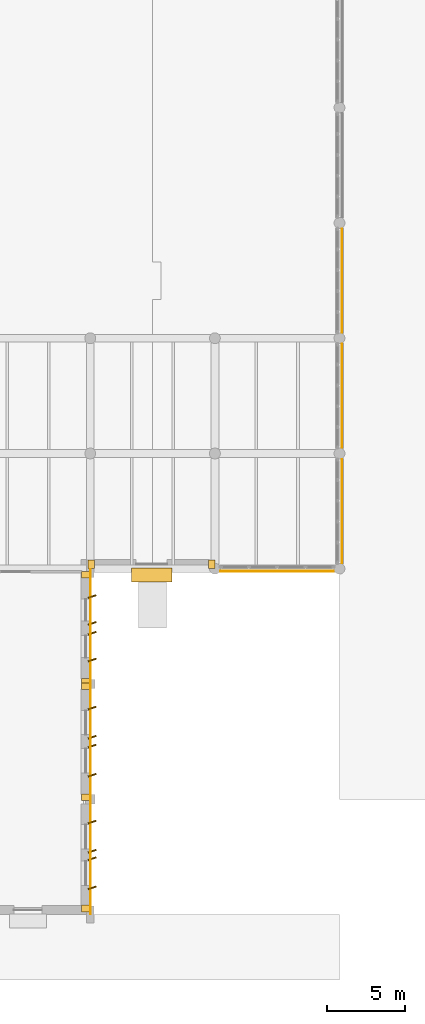
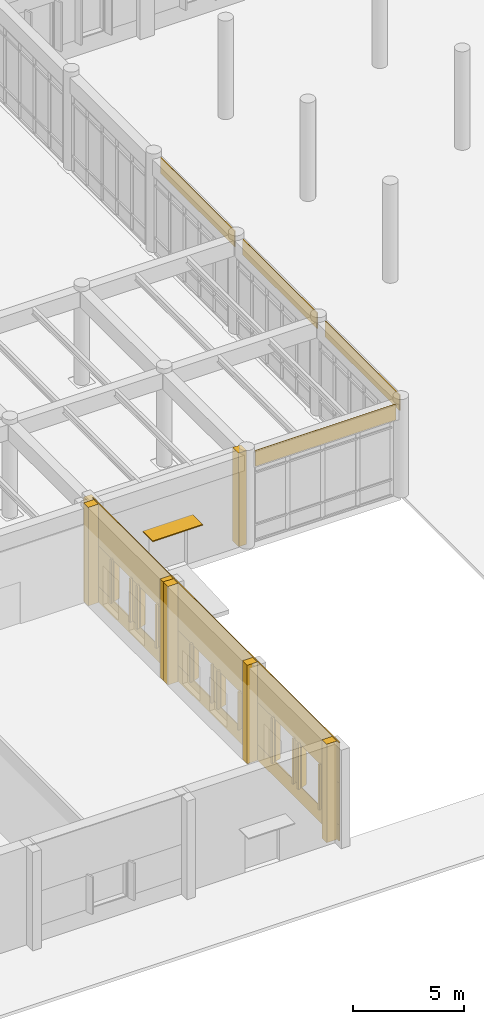
# One storey, part 40 of 56: 38 coverings, 1 shading device.
"""IFC4 building model written with IfcOpenShell, lengths in metres."""

from ifc_helpers import new_model, si_unit, direction, frame, frame_2d, origin, origin_2d, place, context, subcontext, project, spatial, rectangle, extrude, material, layer, layer_set, type_object, element, save


model = new_model("IFC4")

# Units and contexts
model_context = context("Model", 3, precision=1e-05, world=origin(), true_north=direction((0.0, 1.0)))
body_context = subcontext(model_context, "Body", "Model", "MODEL_VIEW")
ifc_project = project(units=[si_unit("LENGTHUNIT", "METRE"), si_unit("AREAUNIT", "SQUARE_METRE"), si_unit("VOLUMEUNIT", "CUBIC_METRE"), si_unit("PLANEANGLEUNIT", "RADIAN"), si_unit("MASSUNIT", "GRAM", prefix="KILO")], contexts=[model_context])

# Site, building, storey
site_placement = place(None, origin())
site = spatial("IfcSite", under=ifc_project, at=site_placement, CompositionType="ELEMENT")
building_placement = place(site_placement, origin())
building = spatial("IfcBuilding", under=site, at=building_placement, Name="Valkorina Park Police Headquarters", CompositionType="ELEMENT")
storey_placement = place(building_placement, origin())
storey = spatial("IfcBuildingStorey", under=building, at=storey_placement, Name="L01", CompositionType="ELEMENT", Elevation=0.0)

# Coverings
ifc_material_1 = material(Name="Precast concrete C40/50", Category="concrete")
ifc_layer_1 = layer(ifc_material_1, 0.044921875)
ifc_layer_set_1 = layer_set([ifc_layer_1], Name="Precast concrete C40/50")
covering_type = type_object("IfcCoveringType", Name="COV-CLAD-DOLOMITE", PredefinedType="CLADDING", material=ifc_layer_set_1)
for number, where, z_axis, x_axis, name in (
    (1, (80.9599609375, 44.0400390625, 4.280029296875), (0.0, 0.0, 1.0), (0.0, -1.0, 0.0), "L01 Spandrel Beam Insulated Fascia 0748"),
    (2, (80.9599609375, 36.639892578125, 4.280029296875), (0.0, 0.0, 1.0), (0.0, -1.0, 0.0), "L01 Spandrel Beam Insulated Fascia 0749"),
    (3, (80.9599609375, 29.239990234375, 4.280029296875), (0.0, 0.0, 1.0), (0.0, -1.0, 0.0), "L01 Spandrel Beam Insulated Fascia 0750"),
):
    element("IfcCovering", number, at=place(storey_placement, frame(where, z_axis=z_axis, x_axis=x_axis)), inside=storey, type_object=covering_type, Name=name, PredefinedType="CLADDING", context=body_context, shape_type="SweptSolid", body=[
        extrude(rectangle(XDim=6.679931640625, YDim=0.044921875, at=frame_2d((3.33984375, 0.0))), origin(), (0.0, 0.0, 1.0), 0.85986328125),
    ])
covering_1_placement = place(storey_placement, frame((80.43994140625, 22.0400390625, 4.280029296875), z_axis=(0.0, 0.0, 1.0), x_axis=(-1.0, 0.0, 0.0)))
element("IfcCovering", 4, at=covering_1_placement, inside=storey, type_object=covering_type, Name="L01 Spandrel Beam Insulated Fascia 0751", PredefinedType="CLADDING", context=body_context, shape_type="SweptSolid", body=[
    extrude(rectangle(XDim=7.280029296875, YDim=0.044921875, at=frame_2d((3.64013671875, 0.0))), origin(), (0.0, 0.0, 1.0), 0.85986328125),
])
for number, where, z_axis, x_axis, name in (
    (5, (72.610107421875, 22.489990234375, 0.0), (0.0, 0.0, 1.0), (1.0, 0.0, 0.0), "L01 Exterior Joint Closure Pilaster A 0752"),
    (6, (64.864990234375, 22.489990234375, 0.0), (0.0, 0.0, 1.0), (1.0, 0.0, 0.0), "L01 Exterior Joint Closure Pilaster B 0753"),
):
    element("IfcCovering", number, at=place(storey_placement, frame(where, z_axis=z_axis, x_axis=x_axis)), inside=storey, type_object=covering_type, Name=name, PredefinedType="CLADDING", context=body_context, shape_type="SweptSolid", body=[
        extrude(rectangle(XDim=0.419921875, YDim=0.52197265625, at=origin_2d()), origin(), (0.0, 0.0, 1.0), 5.139892578125),
    ])
for number, where, z_axis, x_axis, name in (
    (7, (64.510009765625, 21.81005859375, 0.0), (0.0, 0.0, 1.0), (0.0, 1.0, 0.0), "L01 Exterior Joint Closure Pilaster A 0754"),
    (8, (64.510009765625, 14.93994140625, 0.0), (0.0, 0.0, 1.0), (0.0, 1.0, 0.0), "L01 Exterior Joint Closure Pilaster B 0755"),
):
    element("IfcCovering", number, at=place(storey_placement, frame(where, z_axis=z_axis, x_axis=x_axis)), inside=storey, type_object=covering_type, Name=name, PredefinedType="CLADDING", context=body_context, shape_type="SweptSolid", body=[
        extrude(rectangle(XDim=0.419921875, YDim=0.52197265625, at=origin_2d()), origin(), (0.0, 0.0, 1.0), 5.39990234375),
    ])
for number, where, z_axis, x_axis, name in (
    (9, (64.919921875, 20.410400390625, 0.7802734375), (0.0, 0.0, 1.0), (0.948323655206, 0.317304656405, 0.0), "Slanted 18.5-deg Precast Window Slot Fin 0756"),
    (10, (64.919921875, 18.6904296875, 0.7802734375), (0.0, 0.0, 1.0), (0.948323655206, 0.317304656405, 0.0), "Slanted 18.5-deg Precast Window Slot Fin 0757"),
    (11, (64.919921875, 18.0595703125, 0.7802734375), (0.0, 0.0, 1.0), (0.948323655206, 0.317304656405, 0.0), "Slanted 18.5-deg Precast Window Slot Fin 0758"),
    (12, (64.919921875, 16.339599609375, 0.7802734375), (0.0, 0.0, 1.0), (0.948323655206, 0.317304656405, 0.0), "Slanted 18.5-deg Precast Window Slot Fin 0759"),
):
    element("IfcCovering", number, at=place(storey_placement, frame(where, z_axis=z_axis, x_axis=x_axis)), inside=storey, type_object=covering_type, Name=name, PredefinedType="CLADDING", context=body_context, shape_type="SweptSolid", body=[
        extrude(rectangle(XDim=0.5400390625, YDim=0.090087890625, at=origin_2d()), origin(), (0.0, 0.0, 1.0), 2.389892578125),
    ])
covering_2_placement = place(storey_placement, frame((64.81494140625, 22.179931640625, 0.0), z_axis=(0.0, 0.0, 1.0), x_axis=(0.0, -1.0, 0.0)))
element("IfcCovering", 13, at=covering_2_placement, inside=storey, type_object=covering_type, Name="L01 Calm Concrete Base Sill Spandrel 0760", PredefinedType="CLADDING", context=body_context, shape_type="SweptSolid", body=[
    extrude(rectangle(XDim=7.35986328125, YDim=0.044921875, at=frame_2d((3.679931640625, 0.0))), origin(), (0.0, 0.0, 1.0), 0.8701171875),
])
covering_3_placement = place(storey_placement, frame((64.81494140625, 22.179931640625, 3.080078125), z_axis=(0.0, 0.0, 1.0), x_axis=(0.0, -1.0, 0.0)))
element("IfcCovering", 14, at=covering_3_placement, inside=storey, type_object=covering_type, Name="L01 Calm Concrete Base Lintel Spandrel 0761", PredefinedType="CLADDING", context=body_context, shape_type="SweptSolid", body=[
    extrude(rectangle(XDim=7.35986328125, YDim=0.044921875, at=frame_2d((3.679931640625, 0.0))), origin(), (0.0, 0.0, 1.0), 2.31982421875),
])
covering_4_placement = place(storey_placement, frame((64.81494140625, 22.179931640625, 0.8701171875), z_axis=(0.0, 0.0, 1.0), x_axis=(0.0, -1.0, 0.0)))
element("IfcCovering", 15, at=covering_4_placement, inside=storey, type_object=covering_type, Name="L01 Calm Concrete Base Slot Pier 0762", PredefinedType="CLADDING", context=body_context, shape_type="SweptSolid", body=[
    extrude(rectangle(XDim=1.879638671875, YDim=0.044921875, at=frame_2d((0.93994140625, 0.0))), origin(), (0.0, 0.0, 1.0), 2.2099609375),
])
covering_5_placement = place(storey_placement, frame((64.81494140625, 18.80029296875, 0.8701171875), z_axis=(0.0, 0.0, 1.0), x_axis=(0.0, -1.0, 0.0)))
element("IfcCovering", 16, at=covering_5_placement, inside=storey, type_object=covering_type, Name="L01 Calm Concrete Base Slot Pier 0763", PredefinedType="CLADDING", context=body_context, shape_type="SweptSolid", body=[
    extrude(rectangle(XDim=0.8505859375, YDim=0.044921875, at=frame_2d((0.42529296875, 0.0))), origin(), (0.0, 0.0, 1.0), 2.2099609375),
])
covering_6_placement = place(storey_placement, frame((64.81494140625, 16.44970703125, 0.8701171875), z_axis=(0.0, 0.0, 1.0), x_axis=(0.0, -1.0, 0.0)))
element("IfcCovering", 17, at=covering_6_placement, inside=storey, type_object=covering_type, Name="L01 Calm Concrete Base Slot Pier 0764", PredefinedType="CLADDING", context=body_context, shape_type="SweptSolid", body=[
    extrude(rectangle(XDim=1.629638671875, YDim=0.044921875, at=frame_2d((0.81494140625, 0.0))), origin(), (0.0, 0.0, 1.0), 2.2099609375),
])
for number, where, z_axis, x_axis, name in (
    (18, (64.510009765625, 14.659912109375, 0.0), (0.0, 0.0, 1.0), (0.0, 1.0, 0.0), "L01 Exterior Joint Closure Pilaster A 0765"),
    (19, (64.510009765625, 7.5400390625, 0.0), (0.0, 0.0, 1.0), (0.0, 1.0, 0.0), "L01 Exterior Joint Closure Pilaster B 0766"),
):
    element("IfcCovering", number, at=place(storey_placement, frame(where, z_axis=z_axis, x_axis=x_axis)), inside=storey, type_object=covering_type, Name=name, PredefinedType="CLADDING", context=body_context, shape_type="SweptSolid", body=[
        extrude(rectangle(XDim=0.419921875, YDim=0.52197265625, at=origin_2d()), origin(), (0.0, 0.0, 1.0), 5.39990234375),
    ])
for number, where, z_axis, x_axis, name in (
    (20, (64.919921875, 13.25537109375, 0.77978515625), (0.0, 0.0, 1.0), (0.948323655206, 0.317304656405, 0.0), "Slanted 18.5-deg Precast Window Slot Fin 0767"),
    (21, (64.919921875, 11.385498046875, 0.77978515625), (0.0, 0.0, 1.0), (0.948323655206, 0.317304656405, 0.0), "Slanted 18.5-deg Precast Window Slot Fin 0768"),
    (22, (64.919921875, 10.814697265625, 0.77978515625), (0.0, 0.0, 1.0), (0.948323655206, 0.317304656405, 0.0), "Slanted 18.5-deg Precast Window Slot Fin 0769"),
    (23, (64.919921875, 8.944580078125, 0.77978515625), (0.0, 0.0, 1.0), (0.948323655206, 0.317304656405, 0.0), "Slanted 18.5-deg Precast Window Slot Fin 0770"),
):
    element("IfcCovering", number, at=place(storey_placement, frame(where, z_axis=z_axis, x_axis=x_axis)), inside=storey, type_object=covering_type, Name=name, PredefinedType="CLADDING", context=body_context, shape_type="SweptSolid", body=[
        extrude(rectangle(XDim=0.5400390625, YDim=0.090087890625, at=origin_2d()), origin(), (0.0, 0.0, 1.0), 2.090087890625),
    ])
covering_7_placement = place(storey_placement, frame((64.81494140625, 14.780029296875, 0.0), z_axis=(0.0, 0.0, 1.0), x_axis=(0.0, -1.0, 0.0)))
element("IfcCovering", 24, at=covering_7_placement, inside=storey, type_object=covering_type, Name="L01 Calm Concrete Base Sill Spandrel 0771", PredefinedType="CLADDING", context=body_context, shape_type="SweptSolid", body=[
    extrude(rectangle(XDim=7.360107421875, YDim=0.044921875, at=frame_2d((3.68017578125, 0.0))), origin(), (0.0, 0.0, 1.0), 0.8701171875),
])
covering_8_placement = place(storey_placement, frame((64.81494140625, 14.780029296875, 2.780029296875), z_axis=(0.0, 0.0, 1.0), x_axis=(0.0, -1.0, 0.0)))
element("IfcCovering", 25, at=covering_8_placement, inside=storey, type_object=covering_type, Name="L01 Calm Concrete Base Lintel Spandrel 0772", PredefinedType="CLADDING", context=body_context, shape_type="SweptSolid", body=[
    extrude(rectangle(XDim=7.360107421875, YDim=0.044921875, at=frame_2d((3.68017578125, 0.0))), origin(), (0.0, 0.0, 1.0), 2.619873046875),
])
covering_9_placement = place(storey_placement, frame((64.81494140625, 14.780029296875, 0.8701171875), z_axis=(0.0, 0.0, 1.0), x_axis=(0.0, -1.0, 0.0)))
element("IfcCovering", 26, at=covering_9_placement, inside=storey, type_object=covering_type, Name="L01 Calm Concrete Base Slot Pier 0773", PredefinedType="CLADDING", context=body_context, shape_type="SweptSolid", body=[
    extrude(rectangle(XDim=1.634521484375, YDim=0.044921875, at=frame_2d((0.8173828125, 0.0))), origin(), (0.0, 0.0, 1.0), 1.909912109375),
])
covering_10_placement = place(storey_placement, frame((64.81494140625, 11.495361328125, 0.8701171875), z_axis=(0.0, 0.0, 1.0), x_axis=(0.0, -1.0, 0.0)))
element("IfcCovering", 27, at=covering_10_placement, inside=storey, type_object=covering_type, Name="L01 Calm Concrete Base Slot Pier 0774", PredefinedType="CLADDING", context=body_context, shape_type="SweptSolid", body=[
    extrude(rectangle(XDim=0.790771484375, YDim=0.044921875, at=frame_2d((0.3955078125, 0.0))), origin(), (0.0, 0.0, 1.0), 1.909912109375),
])
covering_11_placement = place(storey_placement, frame((64.81494140625, 9.0546875, 0.8701171875), z_axis=(0.0, 0.0, 1.0), x_axis=(0.0, -1.0, 0.0)))
element("IfcCovering", 28, at=covering_11_placement, inside=storey, type_object=covering_type, Name="L01 Calm Concrete Base Slot Pier 0775", PredefinedType="CLADDING", context=body_context, shape_type="SweptSolid", body=[
    extrude(rectangle(XDim=1.634765625, YDim=0.044921875, at=frame_2d((0.8173828125, 0.0))), origin(), (0.0, 0.0, 1.0), 1.909912109375),
])
covering_12_placement = place(storey_placement, frame((64.510009765625, 0.389892578125, 0.0), z_axis=(0.0, 0.0, 1.0), x_axis=(0.0, 1.0, 0.0)))
element("IfcCovering", 29, at=covering_12_placement, inside=storey, type_object=covering_type, Name="L01 Exterior Joint Closure Pilaster B 0776", PredefinedType="CLADDING", context=body_context, shape_type="SweptSolid", body=[
    extrude(rectangle(XDim=0.419921875, YDim=0.52197265625, at=origin_2d()), origin(), (0.0, 0.0, 1.0), 5.39990234375),
])
for number, where, z_axis, x_axis, name in (
    (30, (64.919921875, 5.935302734375, 0.77978515625), (0.0, 0.0, 1.0), (0.948323655206, 0.317304656405, 0.0), "Slanted 18.5-deg Precast Window Slot Fin 0777"),
    (31, (64.919921875, 4.0654296875, 0.77978515625), (0.0, 0.0, 1.0), (0.948323655206, 0.317304656405, 0.0), "Slanted 18.5-deg Precast Window Slot Fin 0778"),
    (32, (64.919921875, 3.584716796875, 0.77978515625), (0.0, 0.0, 1.0), (0.948323655206, 0.317304656405, 0.0), "Slanted 18.5-deg Precast Window Slot Fin 0779"),
    (33, (64.919921875, 1.714599609375, 0.77978515625), (0.0, 0.0, 1.0), (0.948323655206, 0.317304656405, 0.0), "Slanted 18.5-deg Precast Window Slot Fin 0780"),
):
    element("IfcCovering", number, at=place(storey_placement, frame(where, z_axis=z_axis, x_axis=x_axis)), inside=storey, type_object=covering_type, Name=name, PredefinedType="CLADDING", context=body_context, shape_type="SweptSolid", body=[
        extrude(rectangle(XDim=0.5400390625, YDim=0.090087890625, at=origin_2d()), origin(), (0.0, 0.0, 1.0), 2.489990234375),
    ])
covering_13_placement = place(storey_placement, frame((64.81494140625, 7.3798828125, 0.0), z_axis=(0.0, 0.0, 1.0), x_axis=(0.0, -1.0, 0.0)))
element("IfcCovering", 34, at=covering_13_placement, inside=storey, type_object=covering_type, Name="L01 Calm Concrete Base Sill Spandrel 0781", PredefinedType="CLADDING", context=body_context, shape_type="SweptSolid", body=[
    extrude(rectangle(XDim=7.35986328125, YDim=0.044921875, at=frame_2d((3.679931640625, 0.0))), origin(), (0.0, 0.0, 1.0), 0.8701171875),
])
covering_14_placement = place(storey_placement, frame((64.81494140625, 7.3798828125, 3.179931640625), z_axis=(0.0, 0.0, 1.0), x_axis=(0.0, -1.0, 0.0)))
element("IfcCovering", 35, at=covering_14_placement, inside=storey, type_object=covering_type, Name="L01 Calm Concrete Base Lintel Spandrel 0782", PredefinedType="CLADDING", context=body_context, shape_type="SweptSolid", body=[
    extrude(rectangle(XDim=7.35986328125, YDim=0.044921875, at=frame_2d((3.679931640625, 0.0))), origin(), (0.0, 0.0, 1.0), 2.219970703125),
])
covering_15_placement = place(storey_placement, frame((64.81494140625, 7.3798828125, 0.8701171875), z_axis=(0.0, 0.0, 1.0), x_axis=(0.0, -1.0, 0.0)))
element("IfcCovering", 36, at=covering_15_placement, inside=storey, type_object=covering_type, Name="L01 Calm Concrete Base Slot Pier 0783", PredefinedType="CLADDING", context=body_context, shape_type="SweptSolid", body=[
    extrude(rectangle(XDim=1.554443359375, YDim=0.044921875, at=frame_2d((0.77734375, 0.0))), origin(), (0.0, 0.0, 1.0), 2.309814453125),
])
covering_16_placement = place(storey_placement, frame((64.81494140625, 4.17529296875, 0.8701171875), z_axis=(0.0, 0.0, 1.0), x_axis=(0.0, -1.0, 0.0)))
element("IfcCovering", 37, at=covering_16_placement, inside=storey, type_object=covering_type, Name="L01 Calm Concrete Base Slot Pier 0784", PredefinedType="CLADDING", context=body_context, shape_type="SweptSolid", body=[
    extrude(rectangle(XDim=0.70068359375, YDim=0.044921875, at=frame_2d((0.350341796875, 0.0))), origin(), (0.0, 0.0, 1.0), 2.309814453125),
])
covering_17_placement = place(storey_placement, frame((64.81494140625, 1.82470703125, 0.8701171875), z_axis=(0.0, 0.0, 1.0), x_axis=(0.0, -1.0, 0.0)))
element("IfcCovering", 38, at=covering_17_placement, inside=storey, type_object=covering_type, Name="L01 Calm Concrete Base Slot Pier 0785", PredefinedType="CLADDING", context=body_context, shape_type="SweptSolid", body=[
    extrude(rectangle(XDim=1.8046875, YDim=0.044921875, at=frame_2d((0.90234375, 0.0))), origin(), (0.0, 0.0, 1.0), 2.309814453125),
])

# Shading device
ifc_material_2 = material(Name="Polychrome anodized aluminium - Baltic Amber", Category="aluminium")
ifc_layer_2 = layer(ifc_material_2, 0.054931640625)
ifc_layer_set_2 = layer_set([ifc_layer_2], Name="Polychrome anodized aluminium - Baltic Amber")
shading_device_type = type_object("IfcShadingDeviceType", Name="SHD-CANOPY-SUNSHADE", PredefinedType="JALOUSIE", material=ifc_layer_set_2)
shading_device_placement = place(storey_placement, frame((68.737548828125, 21.800048828125, 2.54248046875), z_axis=(0.0, 0.0, 1.0), x_axis=(-1.0, 0.0, 0.0)))
element("IfcShadingDevice", 39, at=shading_device_placement, inside=storey, type_object=shading_device_type, Name="L01 Entrance Canopy Sunshade 014", PredefinedType="JALOUSIE", context=body_context, shape_type="SweptSolid", body=[
    extrude(rectangle(XDim=2.60009765625, YDim=0.89990234375, at=origin_2d()), origin(), (0.0, 0.0, 1.0), 0.054931640625),
])

save(model, "model.ifc")
